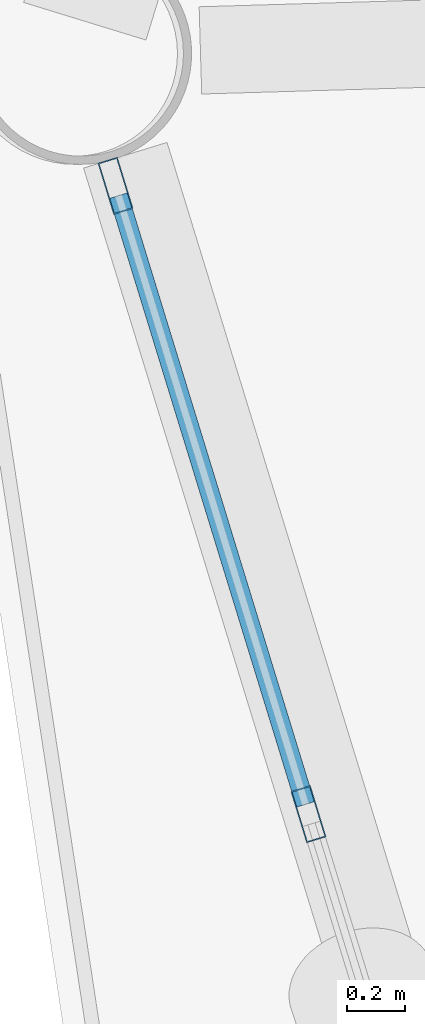
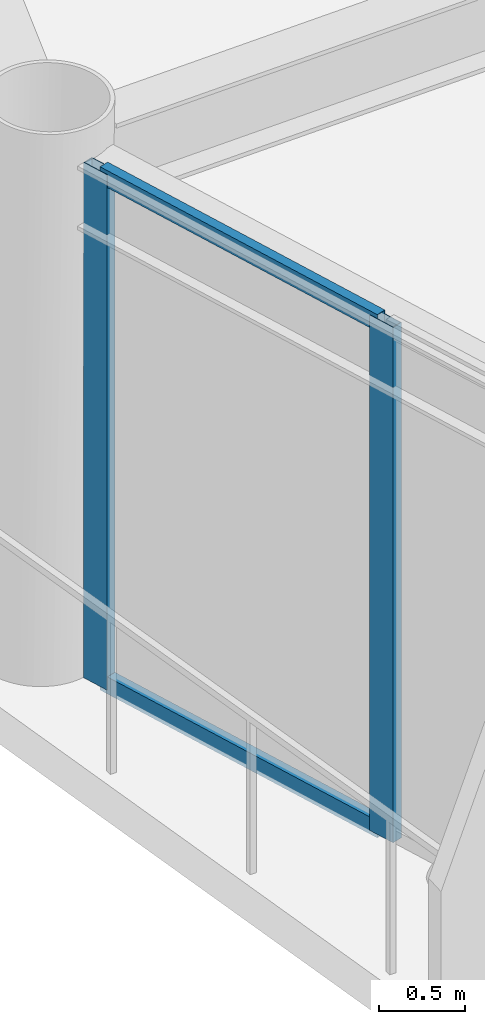
# One storey, part 8 of 25: 4 members, 1 element without a shape of its own.
"""IFC4 building model written with IfcOpenShell, lengths in metres."""

from ifc_helpers import new_model, si_unit, direction, frame, origin, origin_2d, place, context, subcontext, project, spatial, hollow_rectangle, extrude, material, layer, layer_set, material_profile, profile_set, type_object, element, aggregate, save


model = new_model("IFC4")

# Units and contexts
model_context = context("Model", 3, precision=1e-05, world=origin(), true_north=direction((0.0, 1.0)))
body_context = subcontext(model_context, "Body", "Model", "MODEL_VIEW")
ifc_project = project(units=[si_unit("LENGTHUNIT", "METRE"), si_unit("AREAUNIT", "SQUARE_METRE"), si_unit("VOLUMEUNIT", "CUBIC_METRE"), si_unit("PLANEANGLEUNIT", "RADIAN"), si_unit("MASSUNIT", "GRAM", prefix="KILO")], contexts=[model_context])

# Site, building, storey
site_placement = place(None, origin())
site = spatial("IfcSite", under=ifc_project, at=site_placement, CompositionType="ELEMENT")
building_placement = place(site_placement, origin())
building = spatial("IfcBuilding", under=site, at=building_placement, Name="Varnakorn Sky Granary", CompositionType="ELEMENT")
storey_placement = place(building_placement, frame((0.0, 0.0, 126.60009765625)))
storey = spatial("IfcBuildingStorey", under=building, at=storey_placement, Name="L31", CompositionType="ELEMENT", Elevation=126.60009765625)

# Curtain wall, members
ifc_material = material(Name="Anodised Bronze Aluminium Alloy 6063-T6", Category="aluminium")
ifc_layer = layer(ifc_material, 0.179931640625, Name="Anodised Bronze Aluminium Alloy 6063-T6")
ifc_layer_set = layer_set([ifc_layer], Name="Anodised Bronze Aluminium Alloy 6063-T6")
curtain_wall_type = type_object("IfcCurtainWallType", Name="CW-FRM-2", PredefinedType="USERDEFINED", material=ifc_layer_set)
curtain_wall_placement = place(storey_placement, origin())
curtain_wall = element("IfcCurtainWall", 1, at=curtain_wall_placement, inside=storey, type_object=curtain_wall_type, Name="Unitised Curtain Wall CW4 CW-L31-B07", ObjectType="CURTAIN WALL", PredefinedType="USERDEFINED")
ifc_material_profile_1 = material_profile(ifc_material, hollow_rectangle(XDim=0.070068359375, YDim=0.18505859375, WallThickness=0.00390625, at=origin_2d()), Name="ALU MULL 70x185")
ifc_profile_set_1 = profile_set([ifc_material_profile_1], Name="Anodised Bronze Aluminium Alloy 6063-T6")
member_type_1 = type_object("IfcMemberType", Name="CW-FRM-2-MULL", PredefinedType="MULLION", material=ifc_profile_set_1)
member_1_placement = place(storey_placement, frame((-21.879638671875, -2.61572265625, 0.0), z_axis=(0.0, 0.0, 1.0), x_axis=(-0.955916673226, -0.293638066074, 0.0)))
member_1 = element("IfcMember", 2, at=member_1_placement, type_object=member_type_1, Name="CW4 mullion 4", PredefinedType="MULLION", context=body_context, shape_type="SweptSolid", body=[
    extrude(hollow_rectangle(XDim=0.070068359375, YDim=0.18505859375, WallThickness=0.00390625, at=origin_2d()), origin(), (0.0, 0.0, 1.0), 3.639892578125),
])
member_2_placement = place(storey_placement, frame((-22.543212890625, -0.455078125, 0.0), z_axis=(0.0, 0.0, 1.0), x_axis=(-0.955916673226, -0.293638066074, 0.0)))
member_2 = element("IfcMember", 3, at=member_2_placement, type_object=member_type_1, Name="CW4 mullion 5", PredefinedType="MULLION", context=body_context, shape_type="SweptSolid", body=[
    extrude(hollow_rectangle(XDim=0.070068359375, YDim=0.18505859375, WallThickness=0.00390625, at=origin_2d()), origin(), (0.0, 0.0, 1.0), 3.639892578125),
])
ifc_material_profile_2 = material_profile(ifc_material, hollow_rectangle(XDim=0.06494140625, YDim=0.1201171875, WallThickness=0.00341796875, at=origin_2d()), Name="ALU TRAN 65x120")
ifc_profile_set_2 = profile_set([ifc_material_profile_2], Name="Anodised Bronze Aluminium Alloy 6063-T6")
member_type_2 = type_object("IfcMemberType", Name="CW-FRM-2-TRAN", PredefinedType="USERDEFINED", material=ifc_profile_set_2)
member_3_placement = place(storey_placement, frame((-21.889892578125, -2.582275390625, 0.032470703125), z_axis=(-0.293600182714, 0.955928309399, 0.0), x_axis=(-0.955928309399, -0.293600182714, 0.0)))
member_3 = element("IfcMember", 4, at=member_3_placement, type_object=member_type_2, Name="CW4 transom 4.1", ObjectType="TRANSOM", PredefinedType="USERDEFINED", context=body_context, shape_type="SweptSolid", body=[
    extrude(hollow_rectangle(XDim=0.06494140625, YDim=0.1201171875, WallThickness=0.00341796875, at=origin_2d()), origin(), (0.0, 0.0, 1.0), 2.190185546875),
])
member_4_placement = place(storey_placement, frame((-21.889892578125, -2.582275390625, 3.607421875), z_axis=(-0.293600182714, 0.955928309399, 0.0), x_axis=(-0.955928309399, -0.293600182714, 0.0)))
member_4 = element("IfcMember", 5, at=member_4_placement, type_object=member_type_2, Name="CW4 transom 4.2", ObjectType="TRANSOM", PredefinedType="USERDEFINED", context=body_context, shape_type="SweptSolid", body=[
    extrude(hollow_rectangle(XDim=0.06494140625, YDim=0.1201171875, WallThickness=0.00341796875, at=origin_2d()), origin(), (0.0, 0.0, 1.0), 2.190185546875),
])
aggregate(curtain_wall, [member_1, member_2, member_3, member_4])

save(model, "model.ifc")
